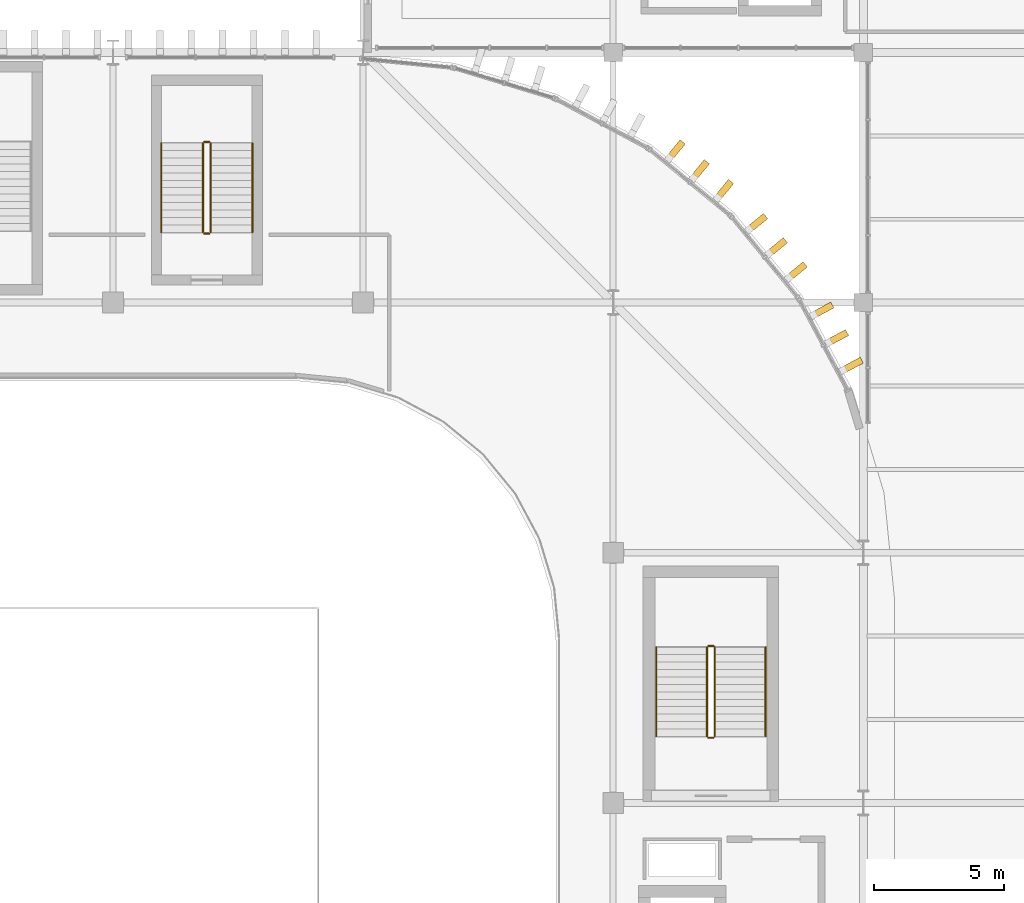
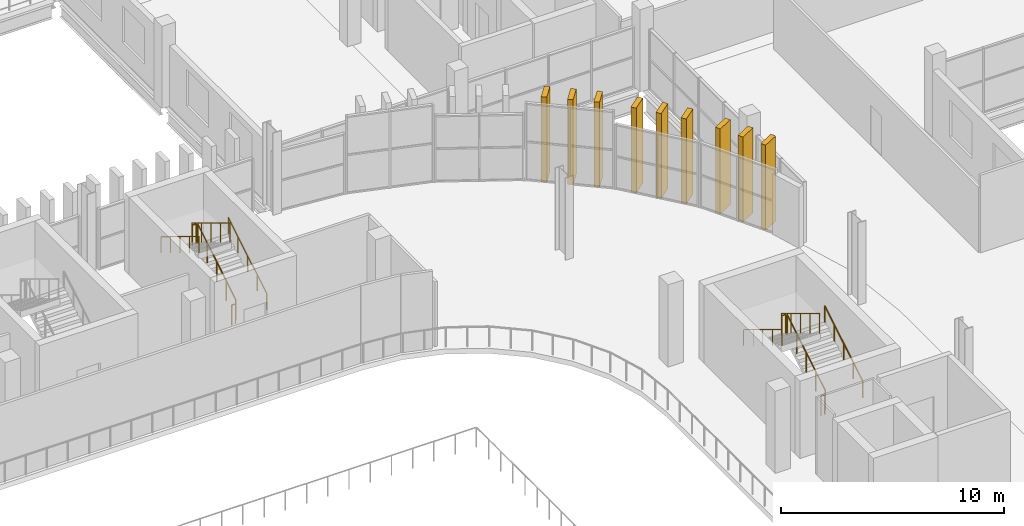
# One storey, part 72 of 75: 12 railings, 9 coverings.
"""IFC4 building model written with IfcOpenShell, lengths in metres."""

from ifc_helpers import new_model, si_unit, direction, frame, origin, origin_2d, place, context, subcontext, project, spatial, rectangle, circle, extrude, material, material_profile, profile_set, type_object, element, save


model = new_model("IFC4")

# Units and contexts
model_context = context("Model", 3, precision=1e-05, world=origin(), true_north=direction((0.0, 1.0)))
body_context = subcontext(model_context, "Body", "Model", "MODEL_VIEW")
ifc_project = project(units=[si_unit("LENGTHUNIT", "METRE"), si_unit("AREAUNIT", "SQUARE_METRE"), si_unit("VOLUMEUNIT", "CUBIC_METRE"), si_unit("PLANEANGLEUNIT", "RADIAN"), si_unit("MASSUNIT", "GRAM", prefix="KILO")], contexts=[model_context])

# Site, building, storey
site_placement = place(None, origin())
site = spatial("IfcSite", under=ifc_project, at=site_placement, CompositionType="ELEMENT")
building_placement = place(site_placement, origin())
building = spatial("IfcBuilding", under=site, at=building_placement, Name="Caelomonte Colonnade Arena", CompositionType="ELEMENT")
storey_placement = place(building_placement, frame((0.0, 0.0, 14.10009765625)))
storey = spatial("IfcBuildingStorey", under=building, at=storey_placement, Name="L03", CompositionType="ELEMENT", Elevation=14.10009765625)

# Coverings
ifc_material_1 = material(Name="Precast travertine cladding", Category="masonry")
ifc_material_profile = material_profile(ifc_material_1, rectangle(XDim=0.260009765625, YDim=0.85009765625, at=origin_2d()), Name="FIN260X850")
ifc_profile_set = profile_set([ifc_material_profile], Name="Precast travertine cladding")
covering_type = type_object("IfcCoveringType", Name="ENV-FN-SHAFT", PredefinedType="CLADDING", material=ifc_profile_set)
for number, where, z_axis, x_axis, name in (
    (1, (162.768310546875, 103.19189453125, -0.16015625), (0.0, 0.0, 1.0), (0.471396736826, -0.881921264348, 0.0), "V1 L03 classical travertine vertical fin 75"),
    (2, (162.202392578125, 104.250244140625, -0.16015625), (0.0, 0.0, 1.0), (0.471396736826, -0.881921264348, 0.0), "V1 L03 classical travertine vertical fin 76"),
    (3, (161.63671875, 105.30859375, -0.16015625), (0.0, 0.0, 1.0), (0.471396736826, -0.881921264348, 0.0), "V1 L03 classical travertine vertical fin 77"),
    (4, (160.641845703125, 106.797607421875, -0.16015625), (0.0, 0.0, 1.0), (0.634413521313, -0.77299384472, 0.0), "V1 L03 classical travertine vertical fin 78"),
    (5, (159.880615234375, 107.72509765625, -0.16015625), (0.0, 0.0, 1.0), (0.634413521313, -0.77299384472, 0.0), "V1 L03 classical travertine vertical fin 79"),
    (6, (159.119140625, 108.65283203125, -0.16015625), (0.0, 0.0, 1.0), (0.634413521313, -0.77299384472, 0.0), "V1 L03 classical travertine vertical fin 80"),
    (7, (157.852783203125, 109.919189453125, -0.16015625), (0.0, 0.0, 1.0), (0.77299384472, -0.634413521313, 0.0), "V1 L03 classical travertine vertical fin 81"),
    (8, (156.92529296875, 110.680419921875, -0.16015625), (0.0, 0.0, 1.0), (0.77299384472, -0.634413521313, 0.0), "V1 L03 classical travertine vertical fin 82"),
    (9, (155.99755859375, 111.44189453125, -0.16015625), (0.0, 0.0, 1.0), (0.77299384472, -0.634413521313, 0.0), "V1 L03 classical travertine vertical fin 83"),
):
    element("IfcCovering", number, at=place(storey_placement, frame(where, z_axis=z_axis, x_axis=x_axis)), inside=storey, type_object=covering_type, Name=name, PredefinedType="CLADDING", context=body_context, shape_type="SweptSolid", body=[
        extrude(rectangle(XDim=0.260009765625, YDim=0.85009765625, at=origin_2d()), origin(), (0.0, 0.0, 1.0), 4.66015625),
    ])

# Railings
ifc_material_2 = material(Name="Painted galvanized steel stair guard", Category="steel")
railing_type_1 = type_object("IfcRailingType", Name="INT-RL-GRD", PredefinedType="GUARDRAIL", material=ifc_material_2)
railing_1_placement = place(storey_placement, frame((157.5, 88.949951171875, 0.173095703125)))
element("IfcRailing", 10, at=railing_1_placement, inside=storey, type_object=railing_type_1, Name="L03 ST-03 stair guard 1", PredefinedType="GUARDRAIL", context=body_context, shape_type="SweptSolid", body=[
    extrude(circle(Radius=0.02392578125, at=origin_2d()), frame((0.0, 0.0, 1.076171875), z_axis=(0.0, 0.854745945586, 0.519046595696), x_axis=(-1.0, 0.0, 0.0)), (0.0, 0.0, 1.0), 4.00146484375),
    extrude(circle(Radius=0.02099609375, at=origin_2d()), origin(), (0.0, 0.0, 1.0), 1.048095703125),
    extrude(circle(Radius=0.02099609375, at=origin_2d()), frame((0.0, 0.85498046875, 0.519287109375)), (0.0, 0.0, 1.0), 1.048095703125),
    extrude(circle(Radius=0.02099609375, at=origin_2d()), frame((0.0, 1.7099609375, 1.03857421875)), (0.0, 0.0, 1.0), 1.048095703125),
    extrude(circle(Radius=0.02099609375, at=origin_2d()), frame((0.0, 2.565185546875, 1.5576171875)), (0.0, 0.0, 1.0), 1.048095703125),
    extrude(circle(Radius=0.02099609375, at=origin_2d()), frame((0.0, 3.420166015625, 2.076904296875)), (0.0, 0.0, 1.0), 1.048095703125),
])
railing_2_placement = place(storey_placement, frame((157.449951171875, 92.419921875, 2.25)))
element("IfcRailing", 11, at=railing_2_placement, inside=storey, type_object=railing_type_1, Name="L03 ST-03 stair guard 2", PredefinedType="GUARDRAIL", context=body_context, shape_type="SweptSolid", body=[
    extrude(circle(Radius=0.02392578125, at=origin_2d()), frame((0.0, 0.0, 1.076171875), z_axis=(-1.0, 0.0, 0.0), x_axis=(0.0, -1.0, 0.0)), (0.0, 0.0, 1.0), 0.199951171875),
    extrude(circle(Radius=0.02099609375, at=origin_2d()), origin(), (0.0, 0.0, 1.0), 1.048095703125),
    extrude(circle(Radius=0.02099609375, at=origin_2d()), frame((-0.199951171875, 0.0, 0.0)), (0.0, 0.0, 1.0), 1.048095703125),
])
railing_3_placement = place(storey_placement, frame((157.199951171875, 92.3701171875, 2.423095703125)))
element("IfcRailing", 12, at=railing_3_placement, inside=storey, type_object=railing_type_1, Name="L03 ST-03 stair guard 3", PredefinedType="GUARDRAIL", context=body_context, shape_type="SweptSolid", body=[
    extrude(circle(Radius=0.02392578125, at=origin_2d()), frame((0.0, 0.0, 1.076171875), z_axis=(0.0, -0.854745945586, 0.519046595696), x_axis=(1.0, 0.0, 0.0)), (0.0, 0.0, 1.0), 4.00146484375),
    extrude(circle(Radius=0.02099609375, at=origin_2d()), origin(), (0.0, 0.0, 1.0), 1.048095703125),
    extrude(circle(Radius=0.02099609375, at=origin_2d()), frame((0.0, -0.85498046875, 0.519287109375)), (0.0, 0.0, 1.0), 1.048095703125),
    extrude(circle(Radius=0.02099609375, at=origin_2d()), frame((0.0, -1.7099609375, 1.03857421875)), (0.0, 0.0, 1.0), 1.048095703125),
    extrude(circle(Radius=0.02099609375, at=origin_2d()), frame((0.0, -2.565185546875, 1.5576171875)), (0.0, 0.0, 1.0), 1.048095703125),
    extrude(circle(Radius=0.02099609375, at=origin_2d()), frame((0.0, -3.420166015625, 2.076904296875)), (0.0, 0.0, 1.0), 1.048095703125),
])
railing_4_placement = place(storey_placement, frame((157.449951171875, 88.89990234375, 0.0)))
element("IfcRailing", 13, at=railing_4_placement, inside=storey, type_object=railing_type_1, Name="L03 ST-03 stair guard 4", PredefinedType="GUARDRAIL", context=body_context, shape_type="SweptSolid", body=[
    extrude(circle(Radius=0.02392578125, at=origin_2d()), frame((0.0, 0.0, 1.076171875), z_axis=(-1.0, 0.0, 0.0), x_axis=(0.0, -1.0, 0.0)), (0.0, 0.0, 1.0), 0.199951171875),
    extrude(circle(Radius=0.02099609375, at=origin_2d()), origin(), (0.0, 0.0, 1.0), 1.048095703125),
    extrude(circle(Radius=0.02099609375, at=origin_2d()), frame((-0.199951171875, 0.0, 0.0)), (0.0, 0.0, 1.0), 1.048095703125),
])
railing_5_placement = place(storey_placement, frame((138.14990234375, 108.300048828125, 0.173095703125)))
element("IfcRailing", 14, at=railing_5_placement, inside=storey, type_object=railing_type_1, Name="L03 ST-V16 stair guard 1", PredefinedType="GUARDRAIL", context=body_context, shape_type="SweptSolid", body=[
    extrude(circle(Radius=0.02392578125, at=origin_2d()), frame((0.0, 0.0, 1.076171875), z_axis=(0.0, 0.854729506542, 0.519073665916), x_axis=(-1.0, 0.0, 0.0)), (0.0, 0.0, 1.0), 4.001220703125),
    extrude(circle(Radius=0.02099609375, at=origin_2d()), origin(), (0.0, 0.0, 1.0), 1.048095703125),
    extrude(circle(Radius=0.02099609375, at=origin_2d()), frame((0.0, 0.85498046875, 0.519287109375)), (0.0, 0.0, 1.0), 1.048095703125),
    extrude(circle(Radius=0.02099609375, at=origin_2d()), frame((0.0, 1.7099609375, 1.03857421875)), (0.0, 0.0, 1.0), 1.048095703125),
    extrude(circle(Radius=0.02099609375, at=origin_2d()), frame((0.0, 2.56494140625, 1.5576171875)), (0.0, 0.0, 1.0), 1.048095703125),
    extrude(circle(Radius=0.02099609375, at=origin_2d()), frame((0.0, 3.419921875, 2.076904296875)), (0.0, 0.0, 1.0), 1.048095703125),
])
railing_6_placement = place(storey_placement, frame((138.10009765625, 111.77001953125, 2.25)))
element("IfcRailing", 15, at=railing_6_placement, inside=storey, type_object=railing_type_1, Name="L03 ST-V16 stair guard 2", PredefinedType="GUARDRAIL", context=body_context, shape_type="SweptSolid", body=[
    extrude(circle(Radius=0.02392578125, at=origin_2d()), frame((0.0, 0.0, 1.076171875), z_axis=(-1.0, 0.0, 0.0), x_axis=(0.0, -1.0, 0.0)), (0.0, 0.0, 1.0), 0.2001953125),
    extrude(circle(Radius=0.02099609375, at=origin_2d()), origin(), (0.0, 0.0, 1.0), 1.048095703125),
    extrude(circle(Radius=0.02099609375, at=origin_2d()), frame((-0.2001953125, 0.0, 0.0)), (0.0, 0.0, 1.0), 1.048095703125),
])
railing_7_placement = place(storey_placement, frame((137.85009765625, 111.719970703125, 2.423095703125)))
element("IfcRailing", 16, at=railing_7_placement, inside=storey, type_object=railing_type_1, Name="L03 ST-V16 stair guard 3", PredefinedType="GUARDRAIL", context=body_context, shape_type="SweptSolid", body=[
    extrude(circle(Radius=0.02392578125, at=origin_2d()), frame((0.0, 0.0, 1.076171875), z_axis=(0.0, -0.854729506542, 0.519073665916), x_axis=(1.0, 0.0, 0.0)), (0.0, 0.0, 1.0), 4.001220703125),
    extrude(circle(Radius=0.02099609375, at=origin_2d()), origin(), (0.0, 0.0, 1.0), 1.048095703125),
    extrude(circle(Radius=0.02099609375, at=origin_2d()), frame((0.0, -0.85498046875, 0.519287109375)), (0.0, 0.0, 1.0), 1.048095703125),
    extrude(circle(Radius=0.02099609375, at=origin_2d()), frame((0.0, -1.7099609375, 1.03857421875)), (0.0, 0.0, 1.0), 1.048095703125),
    extrude(circle(Radius=0.02099609375, at=origin_2d()), frame((0.0, -2.56494140625, 1.5576171875)), (0.0, 0.0, 1.0), 1.048095703125),
    extrude(circle(Radius=0.02099609375, at=origin_2d()), frame((0.0, -3.419921875, 2.076904296875)), (0.0, 0.0, 1.0), 1.048095703125),
])
railing_8_placement = place(storey_placement, frame((138.10009765625, 108.25, 0.0)))
element("IfcRailing", 17, at=railing_8_placement, inside=storey, type_object=railing_type_1, Name="L03 ST-V16 stair guard 4", PredefinedType="GUARDRAIL", context=body_context, shape_type="SweptSolid", body=[
    extrude(circle(Radius=0.02392578125, at=origin_2d()), frame((0.0, 0.0, 1.076171875), z_axis=(-1.0, 0.0, 0.0), x_axis=(0.0, -1.0, 0.0)), (0.0, 0.0, 1.0), 0.2001953125),
    extrude(circle(Radius=0.02099609375, at=origin_2d()), origin(), (0.0, 0.0, 1.0), 1.048095703125),
    extrude(circle(Radius=0.02099609375, at=origin_2d()), frame((-0.2001953125, 0.0, 0.0)), (0.0, 0.0, 1.0), 1.048095703125),
])
ifc_material_3 = material(Name="Brushed stainless steel stair handrail", Category="steel")
railing_type_2 = type_object("IfcRailingType", Name="INT-RL-HR", PredefinedType="HANDRAIL", material=ifc_material_3)
railing_9_placement = place(storey_placement, frame((159.449951171875, 88.949951171875, 0.173095703125)))
element("IfcRailing", 18, at=railing_9_placement, inside=storey, type_object=railing_type_2, Name="L03 ST-03 stair handrail 1", PredefinedType="HANDRAIL", context=body_context, shape_type="SweptSolid", body=[
    extrude(circle(Radius=0.02392578125, at=origin_2d()), frame((0.0, 0.0, 0.8759765625), z_axis=(0.0, 0.854745945586, 0.519046595696), x_axis=(-1.0, 0.0, 0.0)), (0.0, 0.0, 1.0), 4.00146484375),
    extrude(circle(Radius=0.02099609375, at=origin_2d()), origin(), (0.0, 0.0, 1.0), 0.847900390625),
    extrude(circle(Radius=0.02099609375, at=origin_2d()), frame((0.0, 0.85498046875, 0.519287109375)), (0.0, 0.0, 1.0), 0.847900390625),
    extrude(circle(Radius=0.02099609375, at=origin_2d()), frame((0.0, 1.7099609375, 1.03857421875)), (0.0, 0.0, 1.0), 0.847900390625),
    extrude(circle(Radius=0.02099609375, at=origin_2d()), frame((0.0, 2.565185546875, 1.5576171875)), (0.0, 0.0, 1.0), 0.847900390625),
    extrude(circle(Radius=0.02099609375, at=origin_2d()), frame((0.0, 3.420166015625, 2.076904296875)), (0.0, 0.0, 1.0), 0.847900390625),
])
railing_10_placement = place(storey_placement, frame((155.25, 92.3701171875, 2.423095703125)))
element("IfcRailing", 19, at=railing_10_placement, inside=storey, type_object=railing_type_2, Name="L03 ST-03 stair handrail 2", PredefinedType="HANDRAIL", context=body_context, shape_type="SweptSolid", body=[
    extrude(circle(Radius=0.02392578125, at=origin_2d()), frame((0.0, 0.0, 0.8759765625), z_axis=(0.0, -0.854745945586, 0.519046595696), x_axis=(1.0, 0.0, 0.0)), (0.0, 0.0, 1.0), 4.00146484375),
    extrude(circle(Radius=0.02099609375, at=origin_2d()), origin(), (0.0, 0.0, 1.0), 0.847900390625),
    extrude(circle(Radius=0.02099609375, at=origin_2d()), frame((0.0, -0.85498046875, 0.519287109375)), (0.0, 0.0, 1.0), 0.847900390625),
    extrude(circle(Radius=0.02099609375, at=origin_2d()), frame((0.0, -1.7099609375, 1.03857421875)), (0.0, 0.0, 1.0), 0.847900390625),
    extrude(circle(Radius=0.02099609375, at=origin_2d()), frame((0.0, -2.565185546875, 1.5576171875)), (0.0, 0.0, 1.0), 0.847900390625),
    extrude(circle(Radius=0.02099609375, at=origin_2d()), frame((0.0, -3.420166015625, 2.076904296875)), (0.0, 0.0, 1.0), 0.847900390625),
])
railing_11_placement = place(storey_placement, frame((139.75, 108.300048828125, 0.173095703125)))
element("IfcRailing", 20, at=railing_11_placement, inside=storey, type_object=railing_type_2, Name="L03 ST-V16 stair handrail 1", PredefinedType="HANDRAIL", context=body_context, shape_type="SweptSolid", body=[
    extrude(circle(Radius=0.02392578125, at=origin_2d()), frame((0.0, 0.0, 0.8759765625), z_axis=(0.0, 0.854729506542, 0.519073665916), x_axis=(-1.0, 0.0, 0.0)), (0.0, 0.0, 1.0), 4.001220703125),
    extrude(circle(Radius=0.02099609375, at=origin_2d()), origin(), (0.0, 0.0, 1.0), 0.847900390625),
    extrude(circle(Radius=0.02099609375, at=origin_2d()), frame((0.0, 0.85498046875, 0.519287109375)), (0.0, 0.0, 1.0), 0.847900390625),
    extrude(circle(Radius=0.02099609375, at=origin_2d()), frame((0.0, 1.7099609375, 1.03857421875)), (0.0, 0.0, 1.0), 0.847900390625),
    extrude(circle(Radius=0.02099609375, at=origin_2d()), frame((0.0, 2.56494140625, 1.5576171875)), (0.0, 0.0, 1.0), 0.847900390625),
    extrude(circle(Radius=0.02099609375, at=origin_2d()), frame((0.0, 3.419921875, 2.076904296875)), (0.0, 0.0, 1.0), 0.847900390625),
])
railing_12_placement = place(storey_placement, frame((136.25, 111.719970703125, 2.423095703125)))
element("IfcRailing", 21, at=railing_12_placement, inside=storey, type_object=railing_type_2, Name="L03 ST-V16 stair handrail 2", PredefinedType="HANDRAIL", context=body_context, shape_type="SweptSolid", body=[
    extrude(circle(Radius=0.02392578125, at=origin_2d()), frame((0.0, 0.0, 0.8759765625), z_axis=(0.0, -0.854729506542, 0.519073665916), x_axis=(1.0, 0.0, 0.0)), (0.0, 0.0, 1.0), 4.001220703125),
    extrude(circle(Radius=0.02099609375, at=origin_2d()), origin(), (0.0, 0.0, 1.0), 0.847900390625),
    extrude(circle(Radius=0.02099609375, at=origin_2d()), frame((0.0, -0.85498046875, 0.519287109375)), (0.0, 0.0, 1.0), 0.847900390625),
    extrude(circle(Radius=0.02099609375, at=origin_2d()), frame((0.0, -1.7099609375, 1.03857421875)), (0.0, 0.0, 1.0), 0.847900390625),
    extrude(circle(Radius=0.02099609375, at=origin_2d()), frame((0.0, -2.56494140625, 1.5576171875)), (0.0, 0.0, 1.0), 0.847900390625),
    extrude(circle(Radius=0.02099609375, at=origin_2d()), frame((0.0, -3.419921875, 2.076904296875)), (0.0, 0.0, 1.0), 0.847900390625),
])

save(model, "model.ifc")
